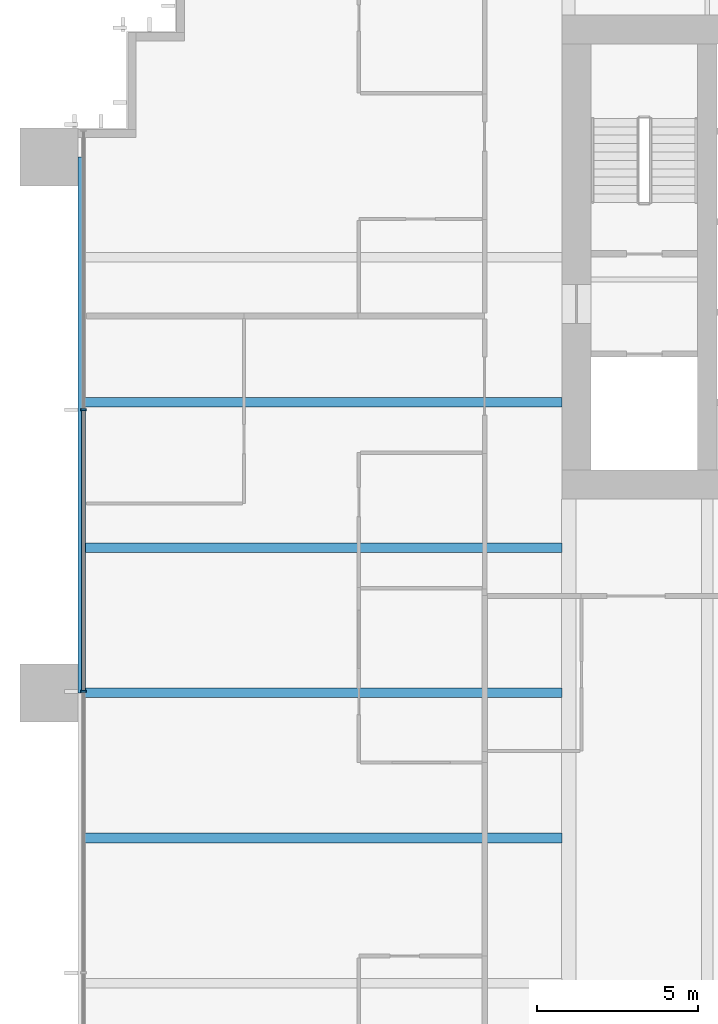
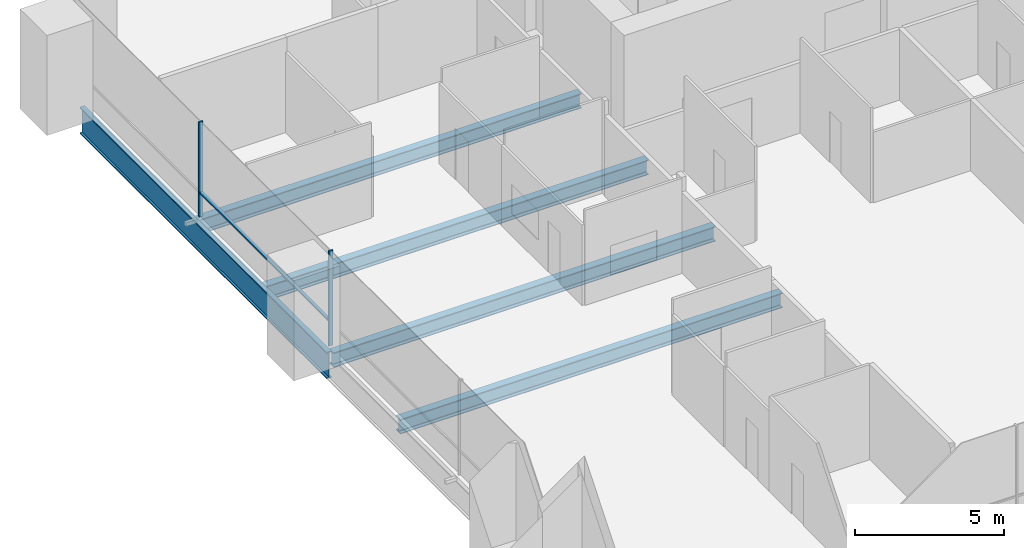
# One storey, part 4 of 18: 5 beams, 3 members, 1 element without a shape of its own.
"""IFC4 building model written with IfcOpenShell, lengths in metres."""

from ifc_helpers import new_model, si_unit, direction, frame, origin, origin_2d, place, context, subcontext, project, spatial, rectangle, i_section, extrude, material, material_profile, profile_set, type_object, element, aggregate, save


model = new_model("IFC4")

# Units and contexts
model_context = context("Model", 3, precision=1e-05, world=origin(), true_north=direction((0.0, 1.0)))
body_context = subcontext(model_context, "Body", "Model", "MODEL_VIEW")
ifc_project = project(units=[si_unit("LENGTHUNIT", "METRE"), si_unit("AREAUNIT", "SQUARE_METRE"), si_unit("VOLUMEUNIT", "CUBIC_METRE"), si_unit("PLANEANGLEUNIT", "RADIAN"), si_unit("MASSUNIT", "GRAM", prefix="KILO")], contexts=[model_context])

# Site, building, storey
site_placement = place(None, origin())
site = spatial("IfcSite", under=ifc_project, at=site_placement, CompositionType="ELEMENT")
building_placement = place(site_placement, origin())
building = spatial("IfcBuilding", under=site, at=building_placement, Name="Rattan Terrace Tower", CompositionType="ELEMENT")
storey_placement = place(building_placement, frame((0.0, 0.0, 36.5)))
storey = spatial("IfcBuildingStorey", under=building, at=storey_placement, Name="L07", CompositionType="ELEMENT", Elevation=36.5)

# Curtain wall, members
ifc_material_1 = material(Name="Aluminium and glass", Category="aluminium")
curtain_wall_type = type_object("IfcCurtainWallType", Name="Facade Unitised Curtain Wall", PredefinedType="NOTDEFINED", material=ifc_material_1)
curtain_wall_placement = place(storey_placement, origin())
curtain_wall = element("IfcCurtainWall", 1, at=curtain_wall_placement, inside=storey, type_object=curtain_wall_type, Name="Curtain wall L07-3", PredefinedType="NOTDEFINED")
ifc_material_2 = material(Name="Aluminium", Category="aluminium")
ifc_material_profile_1 = material_profile(ifc_material_2, rectangle(XDim=0.06005859375, YDim=0.159912109375, at=origin_2d()), Name="Aluminium 60x160")
ifc_profile_set_1 = profile_set([ifc_material_profile_1], Name="Aluminium")
member_type_1 = type_object("IfcMemberType", Name="Facade CW Mullion 60x160", PredefinedType="MULLION", material=ifc_profile_set_1)
member_1_placement = place(storey_placement, frame((-32.830078125, -4.72705078125, 0.0), z_axis=(0.0, 0.0, 1.0), x_axis=(0.0, -1.0, 0.0)))
member_1 = element("IfcMember", 2, at=member_1_placement, type_object=member_type_1, Name="Mullion cwl-L07-003.2", PredefinedType="MULLION", context=body_context, shape_type="SweptSolid", body=[
    extrude(rectangle(XDim=0.06005859375, YDim=0.159912109375, at=origin_2d()), origin(), (0.0, 0.0, 1.0), 3.89990234375),
])
member_2_placement = place(storey_placement, frame((-32.830078125, -13.4541015625, 0.0), z_axis=(0.0, 0.0, 1.0), x_axis=(0.0, -1.0, 0.0)))
member_2 = element("IfcMember", 3, at=member_2_placement, type_object=member_type_1, Name="Mullion cwl-L07-003.3", PredefinedType="MULLION", context=body_context, shape_type="SweptSolid", body=[
    extrude(rectangle(XDim=0.06005859375, YDim=0.159912109375, at=origin_2d()), origin(), (0.0, 0.0, 1.0), 3.89990234375),
])
ifc_material_3 = material(Name="Aluminium", Category="aluminium")
ifc_material_profile_2 = material_profile(ifc_material_3, rectangle(XDim=0.1201171875, YDim=0.06005859375, at=origin_2d()), Name="Aluminium 120x60")
ifc_profile_set_2 = profile_set([ifc_material_profile_2], Name="Aluminium")
member_type_2 = type_object("IfcMemberType", Name="Facade CW Transom 120x60", PredefinedType="USERDEFINED", material=ifc_profile_set_2)
member_3_placement = place(storey_placement, frame((-32.830078125, -4.757080078125, 1.0), z_axis=(0.0, -1.0, 0.0), x_axis=(1.0, 0.0, 0.0)))
member_3 = element("IfcMember", 4, at=member_3_placement, type_object=member_type_2, Name="Transom cwl-L07-003.2", ObjectType="TRANSOM", PredefinedType="USERDEFINED", context=body_context, shape_type="SweptSolid", body=[
    extrude(rectangle(XDim=0.1201171875, YDim=0.06005859375, at=origin_2d()), origin(), (0.0, 0.0, 1.0), 8.6669921875),
])
aggregate(curtain_wall, [member_1, member_2, member_3])

# Beams
ifc_material_4 = material(Name="Steel S460", Category="steel")
ifc_material_profile_3 = material_profile(ifc_material_4, i_section(OverallWidth=0.179931640625, OverallDepth=1.10009765625, WebThickness=0.01611328125, FlangeThickness=0.050048828125, at=origin_2d()), Name="PG 1100x180-16-50")
ifc_profile_set_3 = profile_set([ifc_material_profile_3], Name="Steel S460")
beam_type_1 = type_object("IfcBeamType", Name="Frame edge girder PG 1100x180-16-50", PredefinedType="SPANDREL", material=ifc_profile_set_3)
beam_placement = place(storey_placement, frame((-32.909912109375, 3.10009765625, -0.75), z_axis=(0.0, -1.0, 0.0), x_axis=(1.0, 0.0, 0.0)))
element("IfcBeam", 5, at=beam_placement, inside=storey, type_object=beam_type_1, Name="gdr-L07-008", PredefinedType="SPANDREL", context=body_context, shape_type="SweptSolid", body=[
    extrude(i_section(OverallWidth=0.179931640625, OverallDepth=1.10009765625, WebThickness=0.01611328125, FlangeThickness=0.050048828125, at=origin_2d()), origin(), (0.0, 0.0, 1.0), 16.60009765625),
])
ifc_material_5 = material(Name="Steel S355", Category="steel")
ifc_material_profile_4 = material_profile(ifc_material_5, i_section(OverallWidth=0.300048828125, OverallDepth=0.60009765625, WebThickness=0.015380859375, FlangeThickness=0.030029296875, FilletRadius=0.027099609375, at=origin_2d()), Name="HE 600 B")
ifc_profile_set_4 = profile_set([ifc_material_profile_4], Name="Steel S355")
beam_type_2 = type_object("IfcBeamType", Name="Frame floor beam HE 600 B", PredefinedType="JOIST", material=ifc_profile_set_4)
for number, where, z_axis, x_axis, name in (
    (6, (-32.820068359375, -18.0, -0.5), (1.0, 0.0, 0.0), (0.0, 1.0, 0.0), "bm-L07-014"),
    (7, (-32.820068359375, -13.5, -0.5), (1.0, 0.0, 0.0), (0.0, 1.0, 0.0), "bm-L07-016"),
    (8, (-32.820068359375, -9.0, -0.5), (1.0, 0.0, 0.0), (0.0, 1.0, 0.0), "bm-L07-018"),
    (9, (-32.820068359375, -4.5, -0.5), (1.0, 0.0, 0.0), (0.0, 1.0, 0.0), "bm-L07-020"),
):
    element("IfcBeam", number, at=place(storey_placement, frame(where, z_axis=z_axis, x_axis=x_axis)), inside=storey, type_object=beam_type_2, Name=name, PredefinedType="JOIST", context=body_context, shape_type="SweptSolid", body=[
        extrude(i_section(OverallWidth=0.300048828125, OverallDepth=0.60009765625, WebThickness=0.015380859375, FlangeThickness=0.030029296875, FilletRadius=0.027099609375, at=origin_2d()), origin(), (0.0, 0.0, 1.0), 14.820068359375),
    ])

save(model, "model.ifc")
